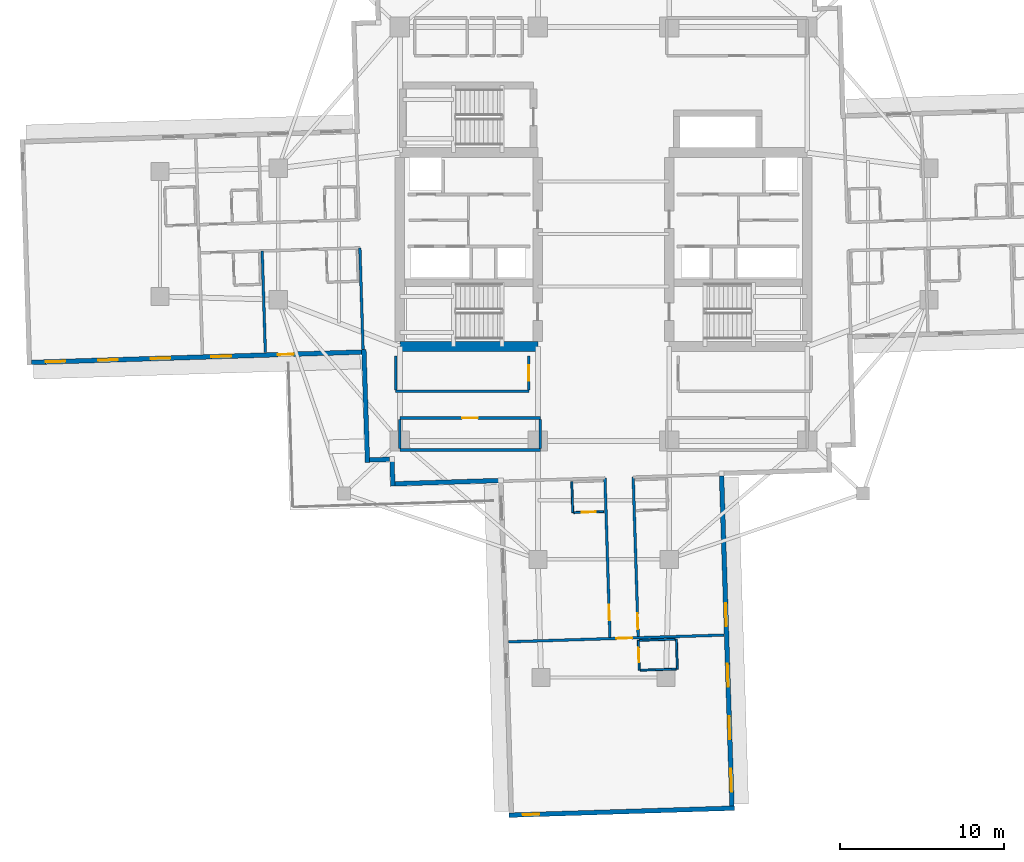
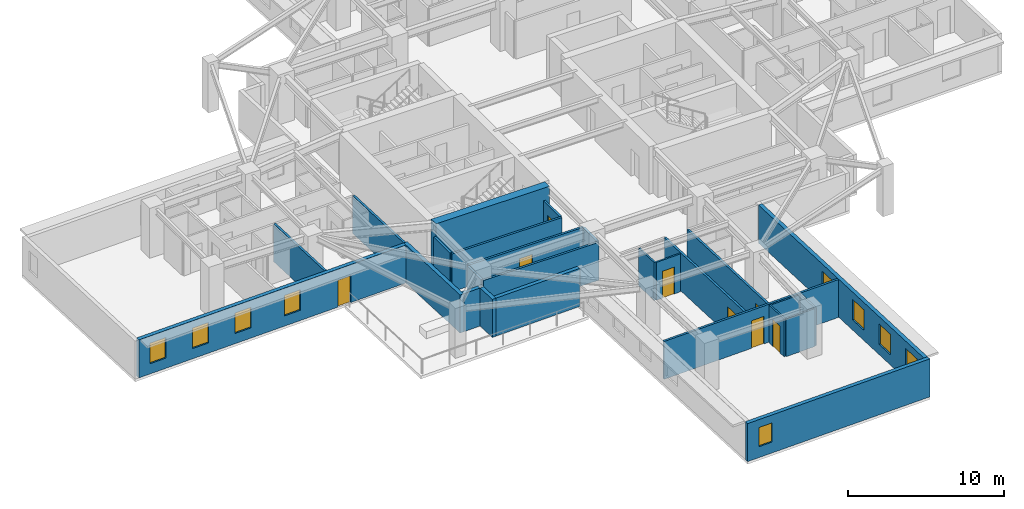
# One storey, part 3 of 14: 26 walls, 9 windows, 8 doors, 17 openings.
"""IFC4 building model written with IfcOpenShell, lengths in metres."""

from ifc_helpers import new_model, si_unit, direction, frame, frame_2d, origin, place, context, subcontext, project, spatial, rectangle, extrude, material, layer, layer_set, type_object, element, fill, save


model = new_model("IFC4")

# Units and contexts
model_context = context("Model", 3, precision=1e-05, world=origin(), true_north=direction((0.0, 1.0)))
body_context = subcontext(model_context, "Body", "Model", "MODEL_VIEW")
ifc_project = project(units=[si_unit("LENGTHUNIT", "METRE"), si_unit("AREAUNIT", "SQUARE_METRE"), si_unit("VOLUMEUNIT", "CUBIC_METRE"), si_unit("PLANEANGLEUNIT", "RADIAN"), si_unit("MASSUNIT", "GRAM", prefix="KILO")], contexts=[model_context])

# Site, building, storey
site_placement = place(None, origin())
site = spatial("IfcSite", under=ifc_project, at=site_placement, CompositionType="ELEMENT")
building_placement = place(site_placement, origin())
building = spatial("IfcBuilding", under=site, at=building_placement, Name="Qingluan Cross Belvedere", CompositionType="ELEMENT")
storey_placement = place(building_placement, frame((0.0, 0.0, 112.5)))
storey = spatial("IfcBuildingStorey", under=building, at=storey_placement, Name="L28", CompositionType="ELEMENT", Elevation=112.5)

# Walls
ifc_material_1 = material(Name="Concrete C60", Category="concrete")
ifc_layer_1 = layer(ifc_material_1, 0.60009765625, Name="CoreShearWall_600")
ifc_layer_set_1 = layer_set([ifc_layer_1], Name="Concrete C60")
wall_type_1 = type_object("IfcWallType", Name="CoreShearWall_600", PredefinedType="SHEAR", material=ifc_layer_set_1)
wall_1_placement = place(storey_placement, frame((-12.39990234375, -6.85009765625, 0.0), z_axis=(0.0, 0.0, 1.0), x_axis=(1.0, 0.0, 0.0)))
element("IfcWall", 1, at=wall_1_placement, inside=storey, type_object=wall_type_1, Name="Split core W shear wall L28-S", PredefinedType="SHEAR", context=body_context, shape_type="SweptSolid", body=[
    extrude(rectangle(XDim=8.39990234375, YDim=0.60009765625, at=frame_2d((4.199951171875, 0.0))), origin(), (0.0, 0.0, 1.0), 3.699951171875),
])
ifc_material_2 = material(Name="Gypsum plasterboard on steel stud acoustic partition", Category="steel")
ifc_layer_2 = layer(ifc_material_2, 0.159912109375, Name="CorridorPartition_160")
ifc_layer_set_2 = layer_set([ifc_layer_2], Name="Gypsum plasterboard on steel stud acoustic partition")
wall_type_2 = type_object("IfcWallType", Name="CorridorPartition_160", PredefinedType="PARTITIONING", material=ifc_layer_set_2)
wall_2_placement = place(storey_placement, frame((-12.39990234375, -13.14990234375, 0.0), z_axis=(0.0, 0.0, 1.0), x_axis=(1.0, 0.0, 0.0)))
element("IfcWall", 2, at=wall_2_placement, inside=storey, type_object=wall_type_2, Name="Partition L28:q_sw:S", PredefinedType="PARTITIONING", context=body_context, shape_type="SweptSolid", body=[
    extrude(rectangle(XDim=8.5498046875, YDim=0.159912109375, at=frame_2d((4.27490234375, 0.0))), origin(), (0.0, 0.0, 1.0), 2.9599609375),
])

# Wall, opening, door
wall_3_placement = place(storey_placement, frame((-12.39990234375, -11.199951171875, 0.0), z_axis=(0.0, 0.0, 1.0), x_axis=(1.0, 0.0, 0.0)))
wall_3 = element("IfcWall", 3, at=wall_3_placement, inside=storey, type_object=wall_type_2, Name="Partition L28:q_sw:N", PredefinedType="PARTITIONING", context=body_context, shape_type="SweptSolid", body=[
    extrude(rectangle(XDim=8.5498046875, YDim=0.159912109375, at=frame_2d((4.27490234375, 0.0))), origin(), (0.0, 0.0, 1.0), 2.9599609375),
])
opening_1_placement = place(wall_3_placement, frame((3.794921875, 0.0, 0.0)))
opening_1 = element("IfcOpeningElement", 4, at=opening_1_placement, cuts=wall_3, Name="Opening GD-10", PredefinedType="OPENING", context=body_context, shape_type="SweptSolid", body=[
    extrude(rectangle(XDim=0.9599609375, YDim=2.14990234375, at=frame_2d((0.47998046875, 1.074951171875))), frame((0.0, 0.08984375, 0.0), z_axis=(0.0, -1.0, 0.0), x_axis=(1.0, 0.0, 0.0)), (0.0, 0.0, 1.0), 0.179931640625),
])
ifc_material_3 = material(Name="Timber oak fire-rated acoustic guestroom door", Category="wood")
door_type_1 = type_object("IfcDoorType", Name="GuestEntryDoor_FD60", OperationType="NOTDEFINED", PredefinedType="DOOR", material=ifc_material_3)
door_1_placement = place(opening_1_placement, origin())
door_1 = element("IfcDoor", 5, at=door_1_placement, inside=storey, type_object=door_type_1, Name="Strategy meeting room L28 door", OperationType="SINGLE_SWING_RIGHT", OverallHeight=2.14990234375, OverallWidth=0.9599609375, PredefinedType="DOOR", context=body_context, shape_type="SweptSolid", body=[
    extrude(rectangle(XDim=0.9599609375, YDim=2.14990234375, at=frame_2d((0.47998046875, 1.074951171875))), frame((0.0, 0.02490234375, 0.0), z_axis=(0.0, -1.0, 0.0), x_axis=(1.0, 0.0, 0.0)), (0.0, 0.0, 1.0), 0.050048828125),
])
fill(opening_1, door_1)

# Walls
for number, where, z_axis, x_axis, name in (
    (6, (-12.39990234375, -13.06494140625, 0.0), (0.0, 0.0, 1.0), (0.0, 1.0, 0.0), "Partition L28:q_sw:W"),
    (7, (-3.85009765625, -13.06494140625, 0.0), (0.0, 0.0, 1.0), (0.0, 1.0, 0.0), "Partition L28:q_sw:E"),
):
    element("IfcWall", number, at=place(storey_placement, frame(where, z_axis=z_axis, x_axis=x_axis)), inside=storey, type_object=wall_type_2, Name=name, PredefinedType="PARTITIONING", context=body_context, shape_type="SweptSolid", body=[
        extrude(rectangle(XDim=1.780029296875, YDim=0.159912109375, at=frame_2d((0.89013671875, 0.0))), origin(), (0.0, 0.0, 1.0), 2.9599609375),
    ])
wall_4_placement = place(storey_placement, frame((-12.64990234375, -9.580078125, 0.0), z_axis=(0.0, 0.0, 1.0), x_axis=(1.0, 0.0, 0.0)))
element("IfcWall", 8, at=wall_4_placement, inside=storey, type_object=wall_type_2, Name="Partition L28:rec_st4_w:S", PredefinedType="PARTITIONING", context=body_context, shape_type="SweptSolid", body=[
    extrude(rectangle(XDim=8.099853515625, YDim=0.159912109375, at=frame_2d((4.0498046875, 0.0))), origin(), (0.0, 0.0, 1.0), 2.9599609375),
])
wall_5_placement = place(storey_placement, frame((-12.64990234375, -9.4951171875, 0.0), z_axis=(0.0, 0.0, 1.0), x_axis=(0.0, 1.0, 0.0)))
element("IfcWall", 9, at=wall_5_placement, inside=storey, type_object=wall_type_2, Name="Partition L28:rec_st4_w:W", PredefinedType="PARTITIONING", context=body_context, shape_type="SweptSolid", body=[
    extrude(rectangle(XDim=2.06005859375, YDim=0.159912109375, at=frame_2d((1.030029296875, 0.0))), origin(), (0.0, 0.0, 1.0), 2.9599609375),
])

# Wall, opening, door
wall_6_placement = place(storey_placement, frame((-4.550048828125, -9.4951171875, 0.0), z_axis=(0.0, 0.0, 1.0), x_axis=(0.0, 1.0, 0.0)))
wall_6 = element("IfcWall", 10, at=wall_6_placement, inside=storey, type_object=wall_type_2, Name="Partition L28:rec_st4_w:E", PredefinedType="PARTITIONING", context=body_context, shape_type="SweptSolid", body=[
    extrude(rectangle(XDim=2.06005859375, YDim=0.159912109375, at=frame_2d((1.030029296875, 0.0))), origin(), (0.0, 0.0, 1.0), 2.9599609375),
])
opening_2_placement = place(wall_6_placement, frame((0.550048828125, 0.0, 0.0)))
opening_2 = element("IfcOpeningElement", 11, at=opening_2_placement, cuts=wall_6, Name="Opening GD-10", PredefinedType="OPENING", context=body_context, shape_type="SweptSolid", body=[
    extrude(rectangle(XDim=0.9599609375, YDim=2.14990234375, at=frame_2d((0.47998046875, 1.074951171875))), frame((0.0, 0.08984375, 0.0), z_axis=(0.0, -1.0, 0.0), x_axis=(1.0, 0.0, 0.0)), (0.0, 0.0, 1.0), 0.179931640625),
])
door_2_placement = place(opening_2_placement, origin())
door_2 = element("IfcDoor", 12, at=door_2_placement, inside=storey, type_object=door_type_1, Name="Southwest club reading room L28 door", OperationType="SINGLE_SWING_LEFT", OverallHeight=2.14990234375, OverallWidth=0.9599609375, PredefinedType="DOOR", context=body_context, shape_type="SweptSolid", body=[
    extrude(rectangle(XDim=0.9599609375, YDim=2.14990234375, at=frame_2d((0.47998046875, 1.074951171875))), frame((0.0, 0.02490234375, 0.0), z_axis=(0.0, -1.0, 0.0), x_axis=(1.0, 0.0, 0.0)), (0.0, 0.0, 1.0), 0.050048828125),
])
fill(opening_2, door_2)

# Walls
for number, where, z_axis, x_axis, name in (
    (13, (-14.830810546875, -0.84619140625, 0.0), (0.0, 0.0, 1.0), (0.031424315148, -0.999506134257, 0.0), "Partition L28:W:s1"),
    (14, (-20.77783203125, -1.033203125, 0.0), (0.0, 0.0, 1.0), (0.031424315148, -0.999506134257, 0.0), "Partition L28:W:d1_0"),
):
    element("IfcWall", number, at=place(storey_placement, frame(where, z_axis=z_axis, x_axis=x_axis)), inside=storey, type_object=wall_type_2, Name=name, PredefinedType="PARTITIONING", context=body_context, shape_type="SweptSolid", body=[
        extrude(rectangle(XDim=6.192138671875, YDim=0.159912109375, at=frame_2d((3.09619140625, 0.0))), origin(), (0.0, 0.0, 1.0), 2.9599609375),
    ])

# Wall, opening, door
wall_7_placement = place(storey_placement, frame((1.805908203125, -14.800537109375, 0.0), z_axis=(0.0, 0.0, 1.0), x_axis=(0.031410762168, -0.999506560269, 0.0)))
wall_7 = element("IfcWall", 15, at=wall_7_placement, inside=storey, type_object=wall_type_2, Name="Partition L28:S:c0", PredefinedType="PARTITIONING", context=body_context, shape_type="SweptSolid", body=[
    extrude(rectangle(XDim=9.7001953125, YDim=0.159912109375, at=frame_2d((4.85009765625, 0.0))), origin(), (0.0, 0.0, 1.0), 2.9599609375),
])
opening_3_placement = place(wall_7_placement, frame((8.300048828125, 0.0, 0.0)))
opening_3 = element("IfcOpeningElement", 16, at=opening_3_placement, cuts=wall_7, Name="Opening GD-10", PredefinedType="OPENING", context=body_context, shape_type="SweptSolid", body=[
    extrude(rectangle(XDim=0.9599609375, YDim=2.14990234375, at=frame_2d((0.47998046875, 1.074951171875))), frame((0.0, 0.08984375, 0.0), z_axis=(0.0, -1.0, 0.0), x_axis=(1.0, 0.0, 0.0)), (0.0, 0.0, 1.0), 0.179931640625),
])
door_3_placement = place(opening_3_placement, origin())
door_3 = element("IfcDoor", 17, at=door_3_placement, inside=storey, type_object=door_type_1, Name="Guest entry fire door 2815", OperationType="SINGLE_SWING_RIGHT", OverallHeight=2.14990234375, OverallWidth=0.9599609375, PredefinedType="DOOR", context=body_context, shape_type="SweptSolid", body=[
    extrude(rectangle(XDim=0.9599609375, YDim=2.14990234375, at=frame_2d((0.47998046875, 1.074951171875))), frame((0.0, 0.02490234375, 0.0), z_axis=(0.0, -1.0, 0.0), x_axis=(1.0, 0.0, 0.0)), (0.0, 0.0, 1.0), 0.050048828125),
])
fill(opening_3, door_3)

wall_8_placement = place(storey_placement, frame((0.086669921875, -14.8544921875, 0.0), z_axis=(0.0, 0.0, 1.0), x_axis=(0.031410762168, -0.999506560269, 0.0)))
wall_8 = element("IfcWall", 18, at=wall_8_placement, inside=storey, type_object=wall_type_2, Name="Partition L28:S:c1", PredefinedType="PARTITIONING", context=body_context, shape_type="SweptSolid", body=[
    extrude(rectangle(XDim=9.7001953125, YDim=0.159912109375, at=frame_2d((4.85009765625, 0.0))), origin(), (0.0, 0.0, 1.0), 2.9599609375),
])
opening_4_placement = place(wall_8_placement, frame((7.7041015625, 0.0, 0.0)))
opening_4 = element("IfcOpeningElement", 19, at=opening_4_placement, cuts=wall_8, Name="Opening GD-10", PredefinedType="OPENING", context=body_context, shape_type="SweptSolid", body=[
    extrude(rectangle(XDim=0.9599609375, YDim=2.14990234375, at=frame_2d((0.47998046875, 1.074951171875))), frame((0.0, 0.08984375, 0.0), z_axis=(0.0, -1.0, 0.0), x_axis=(1.0, 0.0, 0.0)), (0.0, 0.0, 1.0), 0.179931640625),
])
door_4_placement = place(opening_4_placement, origin())
door_4 = element("IfcDoor", 20, at=door_4_placement, inside=storey, type_object=door_type_1, Name="Guest entry fire door 2816", OperationType="SINGLE_SWING_RIGHT", OverallHeight=2.14990234375, OverallWidth=0.9599609375, PredefinedType="DOOR", context=body_context, shape_type="SweptSolid", body=[
    extrude(rectangle(XDim=0.9599609375, YDim=2.14990234375, at=frame_2d((0.47998046875, 1.074951171875))), frame((0.0, 0.02490234375, 0.0), z_axis=(0.0, -1.0, 0.0), x_axis=(1.0, 0.0, 0.0)), (0.0, 0.0, 1.0), 0.050048828125),
])
fill(opening_4, door_4)

wall_9_placement = place(storey_placement, frame((-5.795166015625, -24.82421875, 0.0), z_axis=(0.0, 0.0, 1.0), x_axis=(0.999507189267, 0.031390740738, 0.0)))
wall_9 = element("IfcWall", 21, at=wall_9_placement, inside=storey, type_object=wall_type_2, Name="Partition L28:Scap:in", PredefinedType="PARTITIONING", context=body_context, shape_type="SweptSolid", body=[
    extrude(rectangle(XDim=13.14404296875, YDim=0.159912109375, at=frame_2d((6.572021484375, 0.0))), origin(), (0.0, 0.0, 1.0), 2.9599609375),
])
opening_5_placement = place(wall_9_placement, frame((6.572021484375, 0.0, 0.0)))
opening_5 = element("IfcOpeningElement", 22, at=opening_5_placement, cuts=wall_9, Name="Opening GD-10", PredefinedType="OPENING", context=body_context, shape_type="SweptSolid", body=[
    extrude(rectangle(XDim=0.9599609375, YDim=2.14990234375, at=frame_2d((0.47998046875, 1.074951171875))), frame((0.0, 0.08984375, 0.0), z_axis=(0.0, -1.0, 0.0), x_axis=(1.0, 0.0, 0.0)), (0.0, 0.0, 1.0), 0.179931640625),
])
door_5_placement = place(opening_5_placement, origin())
door_5 = element("IfcDoor", 23, at=door_5_placement, inside=storey, type_object=door_type_1, Name="Presidential suite entrance door L28S", OperationType="SINGLE_SWING_LEFT", OverallHeight=2.14990234375, OverallWidth=0.9599609375, PredefinedType="DOOR", context=body_context, shape_type="SweptSolid", body=[
    extrude(rectangle(XDim=0.9599609375, YDim=2.14990234375, at=frame_2d((0.47998046875, 1.074951171875))), frame((0.0, 0.02490234375, 0.0), z_axis=(0.0, -1.0, 0.0), x_axis=(1.0, 0.0, 0.0)), (0.0, 0.0, 1.0), 0.050048828125),
])
fill(opening_5, door_5)

ifc_material_4 = material(Name="Moisture-resistant gypsum board lining")
ifc_layer_3 = layer(ifc_material_4, 0.1201171875, Name="EnsuiteWetPartition_120")
ifc_layer_set_3 = layer_set([ifc_layer_3], Name="Moisture-resistant gypsum board lining")
wall_type_3 = type_object("IfcWallType", Name="EnsuiteWetPartition_120", PredefinedType="PARTITIONING", material=ifc_layer_set_3)
wall_10_placement = place(storey_placement, frame((-1.808349609375, -16.955078125, 0.0), z_axis=(0.0, 0.0, 1.0), x_axis=(0.999507221803, 0.031389704724, 0.0)))
wall_10 = element("IfcWall", 24, at=wall_10_placement, inside=storey, type_object=wall_type_3, Name="Partition L28:S:bs1_0", PredefinedType="PARTITIONING", context=body_context, shape_type="SweptSolid", body=[
    extrude(rectangle(XDim=1.820068359375, YDim=0.1201171875, at=frame_2d((0.91015625, 0.0))), origin(), (0.0, 0.0, 1.0), 2.9599609375),
])
opening_6_placement = place(wall_10_placement, frame((0.469970703125, 0.0, 0.0)))
opening_6 = element("IfcOpeningElement", 25, at=opening_6_placement, cuts=wall_10, Name="Opening BD-09", PredefinedType="OPENING", context=body_context, shape_type="SweptSolid", body=[
    extrude(rectangle(XDim=0.8798828125, YDim=2.10009765625, at=frame_2d((0.43994140625, 1.050048828125))), frame((0.0, 0.070068359375, 0.0), z_axis=(0.0, -1.0, 0.0), x_axis=(1.0, 0.0, 0.0)), (0.0, 0.0, 1.0), 0.14013671875),
])
ifc_material_5 = material(Name="Moisture-sealed timber en-suite door", Category="wood")
door_type_2 = type_object("IfcDoorType", Name="BathroomDoor_880", OperationType="NOTDEFINED", PredefinedType="DOOR", material=ifc_material_5)
door_6_placement = place(opening_6_placement, origin())
door_6 = element("IfcDoor", 26, at=door_6_placement, inside=storey, type_object=door_type_2, Name="Bathroom door 2816", OperationType="SINGLE_SWING_LEFT", OverallHeight=2.10009765625, OverallWidth=0.8798828125, PredefinedType="DOOR", context=body_context, shape_type="SweptSolid", body=[
    extrude(rectangle(XDim=0.8798828125, YDim=2.10009765625, at=frame_2d((0.43994140625, 1.050048828125))), frame((0.0, 0.02490234375, 0.0), z_axis=(0.0, -1.0, 0.0), x_axis=(1.0, 0.0, 0.0)), (0.0, 0.0, 1.0), 0.050048828125),
])
fill(opening_6, door_6)

# Wall
wall_11_placement = place(storey_placement, frame((-1.932373046875, -15.078125, 0.0), z_axis=(0.0, 0.0, 1.0), x_axis=(0.031425292588, -0.999506103526, 0.0)))
element("IfcWall", 27, at=wall_11_placement, inside=storey, type_object=wall_type_3, Name="Partition L28:S:bc1_0", PredefinedType="PARTITIONING", context=body_context, shape_type="SweptSolid", body=[
    extrude(rectangle(XDim=1.880126953125, YDim=0.1201171875, at=frame_2d((0.93994140625, 0.0))), origin(), (0.0, 0.0, 1.0), 2.9599609375),
])

# Wall, opening, door
wall_12_placement = place(storey_placement, frame((2.117919921875, -24.735595703125, 0.0), z_axis=(0.0, 0.0, 1.0), x_axis=(0.03152371574, -0.999503004171, 0.0)))
wall_12 = element("IfcWall", 28, at=wall_12_placement, inside=storey, type_object=wall_type_3, Name="Partition L28:Scap:bs", PredefinedType="PARTITIONING", context=body_context, shape_type="SweptSolid", body=[
    extrude(rectangle(XDim=1.820068359375, YDim=0.1201171875, at=frame_2d((0.91015625, 0.0))), origin(), (0.0, 0.0, 1.0), 2.9599609375),
])
opening_7_placement = place(wall_12_placement, frame((0.449951171875, 0.0, 0.0)))
opening_7 = element("IfcOpeningElement", 29, at=opening_7_placement, cuts=wall_12, Name="Opening BD-09", PredefinedType="OPENING", context=body_context, shape_type="SweptSolid", body=[
    extrude(rectangle(XDim=0.8798828125, YDim=2.10009765625, at=frame_2d((0.43994140625, 1.050048828125))), frame((0.0, 0.070068359375, 0.0), z_axis=(0.0, -1.0, 0.0), x_axis=(1.0, 0.0, 0.0)), (0.0, 0.0, 1.0), 0.14013671875),
])
door_7_placement = place(opening_7_placement, origin())
door_7 = element("IfcDoor", 30, at=door_7_placement, inside=storey, type_object=door_type_2, Name="En-suite bathroom door L28S", OperationType="SINGLE_SWING_RIGHT", OverallHeight=2.10009765625, OverallWidth=0.8798828125, PredefinedType="DOOR", context=body_context, shape_type="SweptSolid", body=[
    extrude(rectangle(XDim=0.8798828125, YDim=2.10009765625, at=frame_2d((0.43994140625, 1.050048828125))), frame((0.0, 0.02490234375, 0.0), z_axis=(0.0, -1.0, 0.0), x_axis=(1.0, 0.0, 0.0)), (0.0, 0.0, 1.0), 0.050048828125),
])
fill(opening_7, door_7)

# Walls
wall_13_placement = place(storey_placement, frame((4.43701171875, -24.662841796875, 0.0), z_axis=(0.0, 0.0, 1.0), x_axis=(0.031255692016, -0.999511421504, 0.0)))
element("IfcWall", 31, at=wall_13_placement, inside=storey, type_object=wall_type_3, Name="Partition L28:Scap:bb", PredefinedType="PARTITIONING", context=body_context, shape_type="SweptSolid", body=[
    extrude(rectangle(XDim=1.820068359375, YDim=0.1201171875, at=frame_2d((0.91015625, 0.0))), origin(), (0.0, 0.0, 1.0), 2.9599609375),
])
for number, where, z_axis, x_axis, name in (
    (32, (2.18798828125, -24.7333984375, 0.0), (0.0, 0.0, 1.0), (0.999508244557, 0.031357121398, 0.0), "Partition L28:Scap:ba"),
    (33, (2.2451171875, -26.552490234375, 0.0), (0.0, 0.0, 1.0), (0.999508244557, 0.031357121398, 0.0), "Partition L28:Scap:bn"),
):
    element("IfcWall", number, at=place(storey_placement, frame(where, z_axis=z_axis, x_axis=x_axis)), inside=storey, type_object=wall_type_3, Name=name, PredefinedType="PARTITIONING", context=body_context, shape_type="SweptSolid", body=[
        extrude(rectangle(XDim=2.179931640625, YDim=0.1201171875, at=frame_2d((1.08984375, 0.0))), origin(), (0.0, 0.0, 1.0), 2.9599609375),
    ])

# Wall, openings, windows, door
ifc_material_6 = material(Name="Precast concrete C45", Category="concrete")
ifc_layer_4 = layer(ifc_material_6, 0.280029296875, Name="PrecastFacadeWall_280")
ifc_layer_set_4 = layer_set([ifc_layer_4], Name="Precast concrete C45")
wall_type_4 = type_object("IfcWallType", Name="PrecastFacadeWall_280", PredefinedType="STANDARD", material=ifc_layer_set_4)
wall_14_placement = place(storey_placement, frame((-34.8115234375, -7.8173828125, 0.0), z_axis=(0.0, 0.0, 1.0), x_axis=(0.999506574096, 0.031410322165, 0.0)))
wall_14 = element("IfcWall", 34, at=wall_14_placement, inside=storey, type_object=wall_type_4, Name="Facade wall L28-WB", PredefinedType="STANDARD", context=body_context, shape_type="SweptSolid", body=[
    extrude(rectangle(XDim=20.10009765625, YDim=0.280029296875, at=frame_2d((10.050048828125, 0.0))), origin(), (0.0, 0.0, 1.0), 2.969970703125),
])
opening_8_placement = place(wall_14_placement, frame((0.85009765625, 0.0, 0.800048828125)))
opening_8 = element("IfcOpeningElement", 35, at=opening_8_placement, cuts=wall_14, Name="Opening W-02", PredefinedType="OPENING", context=body_context, shape_type="SweptSolid", body=[
    extrude(rectangle(XDim=1.199951171875, YDim=1.60009765625, at=frame_2d((0.60009765625, 0.800048828125))), frame((0.0, 0.14990234375, 0.0), z_axis=(0.0, -1.0, 0.0), x_axis=(1.0, 0.0, 0.0)), (0.0, 0.0, 1.0), 0.300048828125),
])
opening_9_placement = place(wall_14_placement, frame((4.050048828125, 0.0, 0.800048828125)))
opening_9 = element("IfcOpeningElement", 36, at=opening_9_placement, cuts=wall_14, Name="Opening W-02", PredefinedType="OPENING", context=body_context, shape_type="SweptSolid", body=[
    extrude(rectangle(XDim=1.199951171875, YDim=1.60009765625, at=frame_2d((0.60009765625, 0.800048828125))), frame((0.0, 0.14990234375, 0.0), z_axis=(0.0, -1.0, 0.0), x_axis=(1.0, 0.0, 0.0)), (0.0, 0.0, 1.0), 0.300048828125),
])
opening_10_placement = place(wall_14_placement, frame((7.25, 0.0, 0.800048828125)))
opening_10 = element("IfcOpeningElement", 37, at=opening_10_placement, cuts=wall_14, Name="Opening W-02", PredefinedType="OPENING", context=body_context, shape_type="SweptSolid", body=[
    extrude(rectangle(XDim=1.199951171875, YDim=1.60009765625, at=frame_2d((0.60009765625, 0.800048828125))), frame((0.0, 0.14990234375, 0.0), z_axis=(0.0, -1.0, 0.0), x_axis=(1.0, 0.0, 0.0)), (0.0, 0.0, 1.0), 0.300048828125),
])
opening_11_placement = place(wall_14_placement, frame((10.949951171875, 0.0, 0.800048828125)))
opening_11 = element("IfcOpeningElement", 38, at=opening_11_placement, cuts=wall_14, Name="Opening W-02", PredefinedType="OPENING", context=body_context, shape_type="SweptSolid", body=[
    extrude(rectangle(XDim=1.199951171875, YDim=1.60009765625, at=frame_2d((0.60009765625, 0.800048828125))), frame((0.0, 0.14990234375, 0.0), z_axis=(0.0, -1.0, 0.0), x_axis=(1.0, 0.0, 0.0)), (0.0, 0.0, 1.0), 0.300048828125),
])
opening_12_placement = place(wall_14_placement, frame((15.0, 0.0, 0.0)))
opening_12 = element("IfcOpeningElement", 39, at=opening_12_placement, cuts=wall_14, Name="Opening WD-10", PredefinedType="OPENING", context=body_context, shape_type="SweptSolid", body=[
    extrude(rectangle(XDim=0.9599609375, YDim=2.10009765625, at=frame_2d((0.47998046875, 1.050048828125))), frame((0.0, 0.14990234375, 0.0), z_axis=(0.0, -1.0, 0.0), x_axis=(1.0, 0.0, 0.0)), (0.0, 0.0, 1.0), 0.300048828125),
])
ifc_material_7 = material(Name="Thermally broken triple Low-E glass in aluminium frame", Category="aluminium")
window_type_1 = type_object("IfcWindowType", Name="TriRibbonWin_1200x1600", PartitioningType="SINGLE_PANEL", PredefinedType="WINDOW", material=ifc_material_7)
window_1_placement = place(opening_8_placement, origin())
window_1 = element("IfcWindow", 40, at=window_1_placement, inside=storey, type_object=window_type_1, Name="Ribbon window L28-WB-1", OverallHeight=1.60009765625, OverallWidth=1.199951171875, PartitioningType="SINGLE_PANEL", PredefinedType="WINDOW", context=body_context, shape_type="SweptSolid", body=[
    extrude(rectangle(XDim=1.199951171875, YDim=1.60009765625, at=frame_2d((0.60009765625, 0.800048828125))), frame((0.0, 0.030029296875, 0.0), z_axis=(0.0, -1.0, 0.0), x_axis=(1.0, 0.0, 0.0)), (0.0, 0.0, 1.0), 0.06005859375),
])
fill(opening_8, window_1)
window_2_placement = place(opening_9_placement, origin())
window_2 = element("IfcWindow", 41, at=window_2_placement, inside=storey, type_object=window_type_1, Name="Ribbon window L28-WB-2", OverallHeight=1.60009765625, OverallWidth=1.199951171875, PartitioningType="SINGLE_PANEL", PredefinedType="WINDOW", context=body_context, shape_type="SweptSolid", body=[
    extrude(rectangle(XDim=1.199951171875, YDim=1.60009765625, at=frame_2d((0.60009765625, 0.800048828125))), frame((0.0, 0.030029296875, 0.0), z_axis=(0.0, -1.0, 0.0), x_axis=(1.0, 0.0, 0.0)), (0.0, 0.0, 1.0), 0.06005859375),
])
fill(opening_9, window_2)
window_3_placement = place(opening_10_placement, origin())
window_3 = element("IfcWindow", 42, at=window_3_placement, inside=storey, type_object=window_type_1, Name="Ribbon window L28-WB-3", OverallHeight=1.60009765625, OverallWidth=1.199951171875, PartitioningType="SINGLE_PANEL", PredefinedType="WINDOW", context=body_context, shape_type="SweptSolid", body=[
    extrude(rectangle(XDim=1.199951171875, YDim=1.60009765625, at=frame_2d((0.60009765625, 0.800048828125))), frame((0.0, 0.030029296875, 0.0), z_axis=(0.0, -1.0, 0.0), x_axis=(1.0, 0.0, 0.0)), (0.0, 0.0, 1.0), 0.06005859375),
])
fill(opening_10, window_3)
window_4_placement = place(opening_11_placement, origin())
window_4 = element("IfcWindow", 43, at=window_4_placement, inside=storey, type_object=window_type_1, Name="Ribbon window L28-WB-4", OverallHeight=1.60009765625, OverallWidth=1.199951171875, PartitioningType="SINGLE_PANEL", PredefinedType="WINDOW", context=body_context, shape_type="SweptSolid", body=[
    extrude(rectangle(XDim=1.199951171875, YDim=1.60009765625, at=frame_2d((0.60009765625, 0.800048828125))), frame((0.0, 0.030029296875, 0.0), z_axis=(0.0, -1.0, 0.0), x_axis=(1.0, 0.0, 0.0)), (0.0, 0.0, 1.0), 0.06005859375),
])
fill(opening_11, window_4)
ifc_material_8 = material(Name="Thermally broken aluminium and Low-E glass", Category="aluminium")
door_type_3 = type_object("IfcDoorType", Name="WinterGardenDoor_096", OperationType="NOTDEFINED", PredefinedType="DOOR", material=ifc_material_8)
door_8_placement = place(opening_12_placement, origin())
door_8 = element("IfcDoor", 44, at=door_8_placement, inside=storey, type_object=door_type_3, Name="Outdoor terrace access door L28-spi", OperationType="SINGLE_SWING_RIGHT", OverallHeight=2.10009765625, OverallWidth=0.9599609375, PredefinedType="DOOR", context=body_context, shape_type="SweptSolid", body=[
    extrude(rectangle(XDim=0.9599609375, YDim=2.10009765625, at=frame_2d((0.47998046875, 1.050048828125))), frame((0.0, 0.02490234375, 0.0), z_axis=(0.0, -1.0, 0.0), x_axis=(1.0, 0.0, 0.0)), (0.0, 0.0, 1.0), 0.050048828125),
])
fill(opening_12, door_8)

# Wall, openings, windows
wall_15_placement = place(storey_placement, frame((7.8173828125, -34.8115234375, 0.0), z_axis=(0.0, 0.0, 1.0), x_axis=(-0.031410322165, 0.999506574096, 0.0)))
wall_15 = element("IfcWall", 45, at=wall_15_placement, inside=storey, type_object=wall_type_4, Name="Facade wall L28-SB", PredefinedType="STANDARD", context=body_context, shape_type="SweptSolid", body=[
    extrude(rectangle(XDim=20.10009765625, YDim=0.280029296875, at=frame_2d((10.050048828125, 0.0))), origin(), (0.0, 0.0, 1.0), 2.969970703125),
])
opening_13_placement = place(wall_15_placement, frame((0.85009765625, 0.0, 0.800048828125)))
opening_13 = element("IfcOpeningElement", 46, at=opening_13_placement, cuts=wall_15, Name="Opening W-01", PredefinedType="OPENING", context=body_context, shape_type="SweptSolid", body=[
    extrude(rectangle(XDim=1.39990234375, YDim=1.60009765625, at=frame_2d((0.699951171875, 0.800048828125))), frame((0.0, 0.14990234375, 0.0), z_axis=(0.0, -1.0, 0.0), x_axis=(1.0, 0.0, 0.0)), (0.0, 0.0, 1.0), 0.300048828125),
])
opening_14_placement = place(wall_15_placement, frame((4.050048828125, 0.0, 0.800048828125)))
opening_14 = element("IfcOpeningElement", 47, at=opening_14_placement, cuts=wall_15, Name="Opening W-01", PredefinedType="OPENING", context=body_context, shape_type="SweptSolid", body=[
    extrude(rectangle(XDim=1.39990234375, YDim=1.60009765625, at=frame_2d((0.699951171875, 0.800048828125))), frame((0.0, 0.14990234375, 0.0), z_axis=(0.0, -1.0, 0.0), x_axis=(1.0, 0.0, 0.0)), (0.0, 0.0, 1.0), 0.300048828125),
])
opening_15_placement = place(wall_15_placement, frame((7.25, 0.0, 0.800048828125)))
opening_15 = element("IfcOpeningElement", 48, at=opening_15_placement, cuts=wall_15, Name="Opening W-01", PredefinedType="OPENING", context=body_context, shape_type="SweptSolid", body=[
    extrude(rectangle(XDim=1.39990234375, YDim=1.60009765625, at=frame_2d((0.699951171875, 0.800048828125))), frame((0.0, 0.14990234375, 0.0), z_axis=(0.0, -1.0, 0.0), x_axis=(1.0, 0.0, 0.0)), (0.0, 0.0, 1.0), 0.300048828125),
])
opening_16_placement = place(wall_15_placement, frame((10.949951171875, 0.0, 0.800048828125)))
opening_16 = element("IfcOpeningElement", 49, at=opening_16_placement, cuts=wall_15, Name="Opening W-01", PredefinedType="OPENING", context=body_context, shape_type="SweptSolid", body=[
    extrude(rectangle(XDim=1.39990234375, YDim=1.60009765625, at=frame_2d((0.699951171875, 0.800048828125))), frame((0.0, 0.14990234375, 0.0), z_axis=(0.0, -1.0, 0.0), x_axis=(1.0, 0.0, 0.0)), (0.0, 0.0, 1.0), 0.300048828125),
])
ifc_material_9 = material(Name="Thermally broken triple Low-E glass in aluminium frame", Category="aluminium")
window_type_2 = type_object("IfcWindowType", Name="TriRibbonWin_1400x1600", PartitioningType="SINGLE_PANEL", PredefinedType="WINDOW", material=ifc_material_9)
window_5_placement = place(opening_13_placement, origin())
window_5 = element("IfcWindow", 50, at=window_5_placement, inside=storey, type_object=window_type_2, Name="Ribbon window L28-SB-1", OverallHeight=1.60009765625, OverallWidth=1.39990234375, PartitioningType="SINGLE_PANEL", PredefinedType="WINDOW", context=body_context, shape_type="SweptSolid", body=[
    extrude(rectangle(XDim=1.39990234375, YDim=1.60009765625, at=frame_2d((0.699951171875, 0.800048828125))), frame((0.0, 0.030029296875, 0.0), z_axis=(0.0, -1.0, 0.0), x_axis=(1.0, 0.0, 0.0)), (0.0, 0.0, 1.0), 0.06005859375),
])
fill(opening_13, window_5)
window_6_placement = place(opening_14_placement, origin())
window_6 = element("IfcWindow", 51, at=window_6_placement, inside=storey, type_object=window_type_2, Name="Ribbon window L28-SB-2", OverallHeight=1.60009765625, OverallWidth=1.39990234375, PartitioningType="SINGLE_PANEL", PredefinedType="WINDOW", context=body_context, shape_type="SweptSolid", body=[
    extrude(rectangle(XDim=1.39990234375, YDim=1.60009765625, at=frame_2d((0.699951171875, 0.800048828125))), frame((0.0, 0.030029296875, 0.0), z_axis=(0.0, -1.0, 0.0), x_axis=(1.0, 0.0, 0.0)), (0.0, 0.0, 1.0), 0.06005859375),
])
fill(opening_14, window_6)
window_7_placement = place(opening_15_placement, origin())
window_7 = element("IfcWindow", 52, at=window_7_placement, inside=storey, type_object=window_type_2, Name="Ribbon window L28-SB-3", OverallHeight=1.60009765625, OverallWidth=1.39990234375, PartitioningType="SINGLE_PANEL", PredefinedType="WINDOW", context=body_context, shape_type="SweptSolid", body=[
    extrude(rectangle(XDim=1.39990234375, YDim=1.60009765625, at=frame_2d((0.699951171875, 0.800048828125))), frame((0.0, 0.030029296875, 0.0), z_axis=(0.0, -1.0, 0.0), x_axis=(1.0, 0.0, 0.0)), (0.0, 0.0, 1.0), 0.06005859375),
])
fill(opening_15, window_7)
window_8_placement = place(opening_16_placement, origin())
window_8 = element("IfcWindow", 53, at=window_8_placement, inside=storey, type_object=window_type_2, Name="Ribbon window L28-SB-4", OverallHeight=1.60009765625, OverallWidth=1.39990234375, PartitioningType="SINGLE_PANEL", PredefinedType="WINDOW", context=body_context, shape_type="SweptSolid", body=[
    extrude(rectangle(XDim=1.39990234375, YDim=1.60009765625, at=frame_2d((0.699951171875, 0.800048828125))), frame((0.0, 0.030029296875, 0.0), z_axis=(0.0, -1.0, 0.0), x_axis=(1.0, 0.0, 0.0)), (0.0, 0.0, 1.0), 0.06005859375),
])
fill(opening_16, window_8)

# Wall, opening, window
wall_16_placement = place(storey_placement, frame((-5.751708984375, -35.378173828125, 0.0), z_axis=(0.0, 0.0, 1.0), x_axis=(0.999506679556, 0.031406966164, 0.0)))
wall_16 = element("IfcWall", 54, at=wall_16_placement, inside=storey, type_object=wall_type_4, Name="Arm tip precast facade wall L28-S", PredefinedType="STANDARD", context=body_context, shape_type="SweptSolid", body=[
    extrude(rectangle(XDim=13.72021484375, YDim=0.280029296875, at=frame_2d((6.860107421875, 0.0))), origin(), (0.0, 0.0, 1.0), 2.969970703125),
])
opening_17_placement = place(wall_16_placement, frame((0.85009765625, 0.0, 0.85009765625)))
opening_17 = element("IfcOpeningElement", 55, at=opening_17_placement, cuts=wall_16, Name="Opening W-03", PredefinedType="OPENING", context=body_context, shape_type="SweptSolid", body=[
    extrude(rectangle(XDim=1.0, YDim=1.5, at=frame_2d((0.5, 0.75))), frame((0.0, 0.14990234375, 0.0), z_axis=(0.0, -1.0, 0.0), x_axis=(1.0, 0.0, 0.0)), (0.0, 0.0, 1.0), 0.300048828125),
])
ifc_material_10 = material(Name="Thermally broken triple Low-E glass in aluminium frame", Category="aluminium")
window_type_3 = type_object("IfcWindowType", Name="TriApexWin_1000x1500", PartitioningType="SINGLE_PANEL", PredefinedType="WINDOW", material=ifc_material_10)
window_9_placement = place(opening_17_placement, origin())
window_9 = element("IfcWindow", 56, at=window_9_placement, inside=storey, type_object=window_type_3, Name="Arm tip triangular window L28-S", OverallHeight=1.5, OverallWidth=1.0, PartitioningType="SINGLE_PANEL", PredefinedType="WINDOW", context=body_context, shape_type="SweptSolid", body=[
    extrude(rectangle(XDim=1.0, YDim=1.5, at=frame_2d((0.5, 0.75))), frame((0.0, 0.030029296875, 0.0), z_axis=(0.0, -1.0, 0.0), x_axis=(1.0, 0.0, 0.0)), (0.0, 0.0, 1.0), 0.06005859375),
])
fill(opening_17, window_9)

# Walls
wall_17_placement = place(storey_placement, frame((-14.5859375, -7.04150390625, 0.0), z_axis=(0.0, 0.0, 1.0), x_axis=(0.031389189386, -0.999507237988, 0.0)))
element("IfcWall", 57, at=wall_17_placement, inside=storey, type_object=wall_type_4, Name="Corner wall L28-SW1", PredefinedType="STANDARD", context=body_context, shape_type="SweptSolid", body=[
    extrude(rectangle(XDim=6.860107421875, YDim=0.280029296875, at=frame_2d((3.43017578125, 0.0))), origin(), (0.0, 0.0, 1.0), 2.969970703125),
])
wall_18_placement = place(storey_placement, frame((-14.235107421875, -13.75390625, 0.0), z_axis=(0.0, 0.0, 1.0), x_axis=(0.999506398264, 0.031415916822, 0.0)))
element("IfcWall", 58, at=wall_18_placement, inside=storey, type_object=wall_type_4, Name="Corner wall L28-SW2", PredefinedType="STANDARD", context=body_context, shape_type="SweptSolid", body=[
    extrude(rectangle(XDim=1.219970703125, YDim=0.280029296875, at=frame_2d((0.60986328125, 0.0))), origin(), (0.0, 0.0, 1.0), 2.969970703125),
])
wall_19_placement = place(storey_placement, frame((-12.871337890625, -13.85107421875, 0.0), z_axis=(0.0, 0.0, 1.0), x_axis=(0.031412596484, -0.999506502621, 0.0)))
element("IfcWall", 59, at=wall_19_placement, inside=storey, type_object=wall_type_4, Name="Corner wall L28-SW3", PredefinedType="STANDARD", context=body_context, shape_type="SweptSolid", body=[
    extrude(rectangle(XDim=1.5, YDim=0.280029296875, at=frame_2d((0.75, 0.0))), origin(), (0.0, 0.0, 1.0), 2.969970703125),
])
wall_20_placement = place(storey_placement, frame((-12.688720703125, -15.2060546875, 0.0), z_axis=(0.0, 0.0, 1.0), x_axis=(0.999507262922, 0.031388395416, 0.0)))
element("IfcWall", 60, at=wall_20_placement, inside=storey, type_object=wall_type_4, Name="Corner wall L28-SW4", PredefinedType="STANDARD", context=body_context, shape_type="SweptSolid", body=[
    extrude(rectangle(XDim=6.30029296875, YDim=0.280029296875, at=frame_2d((3.150146484375, 0.0))), origin(), (0.0, 0.0, 1.0), 2.969970703125),
])

save(model, "model.ifc")
